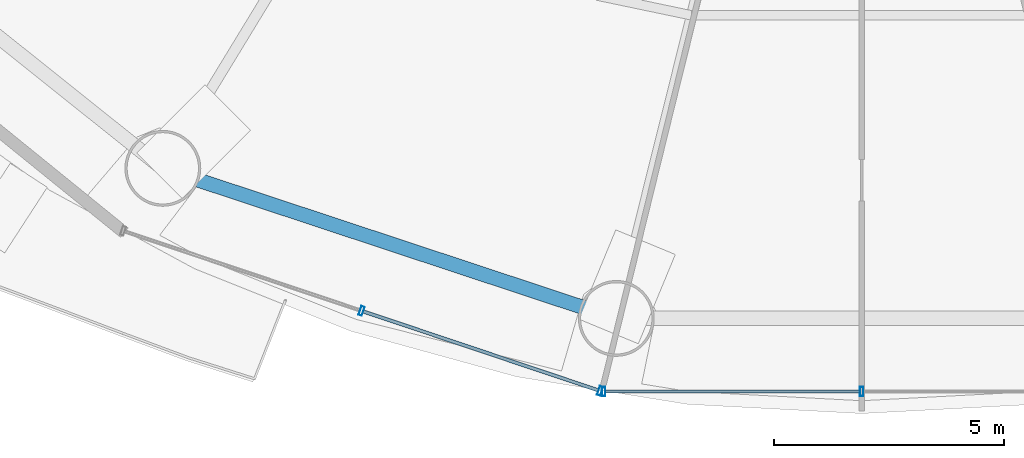
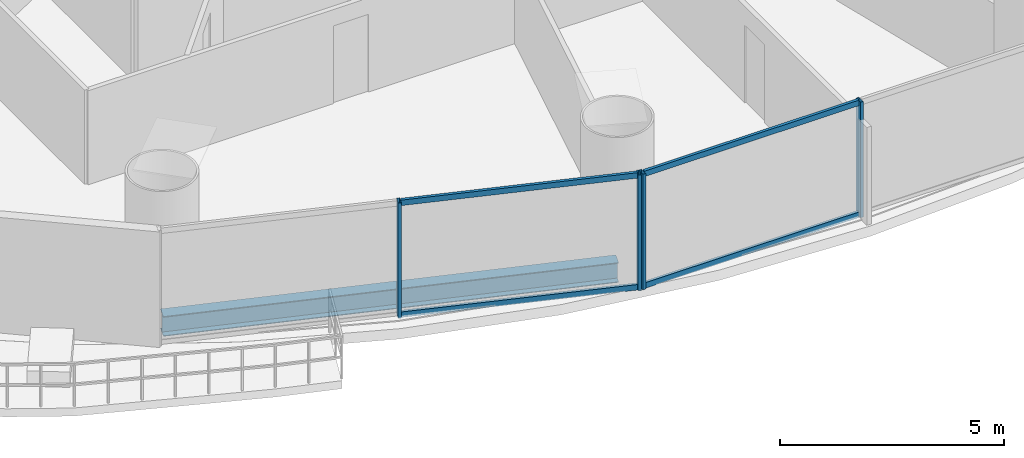
# One storey, part 4 of 29: 8 members, 1 beam, 2 elements without a shape of their own.
"""IFC4 building model written with IfcOpenShell, lengths in metres."""

import ifcopenshell
import ifcopenshell.guid

model = None  # the IFC model being written
_history = None  # IfcOwnerHistory: only IFC2X3 demands one
_inside = {}  # id of a spatial element -> (the spatial element, [elements in it])
_under = {}  # id of a project, library or spatial element -> (it, [spatial elements below it])
_declared = {}  # id of a project -> (the project, [libraries it declares])
_typed = {}  # id of a type object -> (the type object, [elements of that type])
_made_of = {}  # id of a material, layer set ... -> (it, [elements and type objects made of it])


def new_model(schema):
    """Start an empty IFC model of exactly this schema.

    Asked for "IFC4X3", IfcOpenShell would pick the latest addendum, in which some entities
    have other attributes; the version numbers below select the first issue.
    IFC2X3 requires an IfcOwnerHistory on every rooted entity: one is made here for all.
    """
    global model, _history
    if schema == "IFC4X3":
        model = ifcopenshell.file(schema_version=(4, 3, 0, 0))
    else:
        model = ifcopenshell.file(schema=schema)
    _inside.clear()
    _under.clear()
    _declared.clear()
    _typed.clear()
    _made_of.clear()
    _history = None
    if model.schema == "IFC2X3":
        org = make("IfcOrganization", Name="unknown")
        user = make(
            "IfcPersonAndOrganization",
            ThePerson=make("IfcPerson", FamilyName="unknown"),
            TheOrganization=org,
        )
        app = make(
            "IfcApplication",
            ApplicationDeveloper=org,
            Version="unknown",
            ApplicationFullName="unknown",
            ApplicationIdentifier="unknown",
        )
        _history = make(
            "IfcOwnerHistory",
            OwningUser=user,
            OwningApplication=app,
            ChangeAction="ADDED",
            CreationDate=0,
        )
    return model


def make(cls, **values):
    """One entity of the class cls with the attributes given. An attribute that is None is left unset."""
    return model.create_entity(
        cls, **{name: value for name, value in values.items() if value is not None}
    )


def rooted(cls, **values):
    """An entity with a GlobalId (a new one), such as an element, a storey or a relation."""
    return make(cls, GlobalId=ifcopenshell.guid.new(), OwnerHistory=_history, **values)


def si_unit(unit_type, name, prefix=None):
    """IfcSIUnit, for example si_unit("LENGTHUNIT", "METRE", prefix="MILLI")."""
    return make("IfcSIUnit", UnitType=unit_type, Prefix=prefix, Name=name)


def assignment(units):
    """IfcUnitAssignment: the units of a project."""
    return None if units is None else make("IfcUnitAssignment", Units=units)


def point(xyz):
    """IfcCartesianPoint."""
    return None if xyz is None else make("IfcCartesianPoint", Coordinates=xyz)


def direction(xyz):
    """IfcDirection."""
    return None if xyz is None else make("IfcDirection", DirectionRatios=xyz)


def frame(location, z_axis=None, x_axis=None):
    """IfcAxis2Placement3D, a coordinate frame: its origin and axes. An axis left out is left unset."""
    return make(
        "IfcAxis2Placement3D",
        Location=point(location),
        Axis=direction(z_axis),
        RefDirection=direction(x_axis),
    )


def frame_2d(location, x_axis=None):
    """IfcAxis2Placement2D, a coordinate frame in the plane: its origin and x axis."""
    return make(
        "IfcAxis2Placement2D", Location=point(location), RefDirection=direction(x_axis)
    )


def origin():
    """The frame at (0, 0, 0) with its axes left unset."""
    return frame((0.0, 0.0, 0.0))


def origin_2d():
    """The frame at (0, 0) in the plane with its x axis left unset."""
    return frame_2d((0.0, 0.0))


def place(relative_to, where):
    """IfcLocalPlacement: puts the frame where relative to a parent placement (None: the world)."""
    return make(
        "IfcLocalPlacement", PlacementRelTo=relative_to, RelativePlacement=where
    )


def context(
    kind, dimensions, precision=None, world=None, true_north=None, identifier=None
):
    """IfcGeometricRepresentationContext, for example the 3D "Model" context."""
    return make(
        "IfcGeometricRepresentationContext",
        ContextIdentifier=identifier,
        ContextType=kind,
        CoordinateSpaceDimension=dimensions,
        Precision=precision,
        WorldCoordinateSystem=world,
        TrueNorth=true_north,
    )


def subcontext(parent, identifier, kind, view, scale=None):
    """IfcGeometricRepresentationSubContext, for example "Body" below "Model"."""
    return make(
        "IfcGeometricRepresentationSubContext",
        ContextIdentifier=identifier,
        ContextType=kind,
        ParentContext=parent,
        TargetScale=scale,
        TargetView=view,
    )


def project(units=None, contexts=None):
    """IfcProject with its units and contexts."""
    return rooted(
        "IfcProject",
        Name="project",
        RepresentationContexts=contexts,
        UnitsInContext=assignment(units),
    )


def spatial(cls, under=None, at=None, **own):
    """A site, building, storey or space (cls), placed at a placement, below another one or the project."""
    s = rooted(cls, ObjectPlacement=at, **own)
    if under is not None:
        _under.setdefault(under.id(), (under, []))[1].append(s)
    return s


def profile(cls, at=None, kind="AREA", **sizes):
    """A parametric profile (cls). Its sizes go by their IFC names, for example OverallWidth=200.0."""
    return make(cls, ProfileType=kind, Position=at, **sizes)


def hollow_rectangle(**sizes):
    """IfcRectangleHollowProfileDef."""
    return profile("IfcRectangleHollowProfileDef", **sizes)


def i_section(**sizes):
    """IfcIShapeProfileDef."""
    return profile("IfcIShapeProfileDef", **sizes)


def extrude(swept, where, along, depth):
    """IfcExtrudedAreaSolid: the profile swept, set in the frame where, extruded along a direction by depth."""
    return make(
        "IfcExtrudedAreaSolid",
        SweptArea=swept,
        Position=where,
        ExtrudedDirection=direction(along),
        Depth=depth,
    )


def shape(context_of_items, identifier, shape_type, items):
    """IfcShapeRepresentation: the items that make up one representation, for example the "Body"."""
    return make(
        "IfcShapeRepresentation",
        ContextOfItems=context_of_items,
        RepresentationIdentifier=identifier,
        RepresentationType=shape_type,
        Items=items,
    )


def source(mapping_origin, context_of_items, identifier, shape_type, items):
    """IfcRepresentationMap: a shape defined once, which mapped items show again and again."""
    return make(
        "IfcRepresentationMap",
        MappingOrigin=mapping_origin,
        MappedRepresentation=shape(context_of_items, identifier, shape_type, items),
    )


def transform(
    local_origin,
    x_axis=None,
    y_axis=None,
    z_axis=None,
    scale=None,
    scale2=None,
    scale3=None,
    uniform=True,
):
    """IfcCartesianTransformationOperator3D, or its non-uniform kind. x_axis, y_axis, z_axis: its Axis1, 2, 3."""
    if uniform:
        return make(
            "IfcCartesianTransformationOperator3D",
            Axis1=direction(x_axis),
            Axis2=direction(y_axis),
            LocalOrigin=point(local_origin),
            Scale=scale,
            Axis3=direction(z_axis),
        )
    return make(
        "IfcCartesianTransformationOperator3DnonUniform",
        Axis1=direction(x_axis),
        Axis2=direction(y_axis),
        LocalOrigin=point(local_origin),
        Scale=scale,
        Axis3=direction(z_axis),
        Scale2=scale2,
        Scale3=scale3,
    )


def mapped(mapping_source, mapping_target):
    """IfcMappedItem: shows the shape of a source again, moved by a transform."""
    return make(
        "IfcMappedItem", MappingSource=mapping_source, MappingTarget=mapping_target
    )


def material(Name=None, Category=None):
    """IfcMaterial."""
    return make("IfcMaterial", Name=Name, Category=Category)


def material_profile(
    of_material, cross_section, Name=None, Category=None, Priority=None
):
    """IfcMaterialProfile: a cross section and its material."""
    return make(
        "IfcMaterialProfile",
        Name=Name,
        Material=of_material,
        Profile=cross_section,
        Priority=Priority,
        Category=Category,
    )


def profile_set(profiles, Name=None, composite=None):
    """IfcMaterialProfileSet."""
    return make(
        "IfcMaterialProfileSet",
        Name=Name,
        MaterialProfiles=profiles,
        CompositeProfile=composite,
    )


def made_of(thing, what):
    """Note that an element or type object is made of a material, layer set ...; save() writes the relation."""
    if what is not None:
        _made_of.setdefault(what.id(), (what, []))[1].append(thing)
    return thing


def type_object(cls, material=None, **own):
    """A type object (cls), such as IfcWallType, which elements share."""
    return made_of(rooted(cls, **own), material)


def element(
    cls,
    number,
    at=None,
    inside=None,
    cuts=None,
    type_object=None,
    material=None,
    context=None,
    identifier="Body",
    shape_type=None,
    held_by="IfcProductDefinitionShape",
    body=None,
    shapes=None,
    **own,
):
    """One element of the class cls, such as IfcWall. Its Tag is "e" and its number.

    at: its placement. inside: the storey or other place that contains it. cuts: it is an
    opening in that element (IfcRelVoidsElement). A single representation is given by context,
    identifier, shape_type and body (its items); several are given by shapes. held_by: the class
    of the entity that holds the representations. save() writes the other relations.
    """
    e = rooted(cls, Tag="e%d" % number, ObjectPlacement=at, **own)
    if body is not None:
        shapes = [shape(context, identifier, shape_type, body)]
    if shapes is not None:
        e.Representation = make(held_by, Representations=shapes)
    if inside is not None:
        _inside.setdefault(inside.id(), (inside, []))[1].append(e)
    if cuts is not None:
        rooted(
            "IfcRelVoidsElement", RelatingBuildingElement=cuts, RelatedOpeningElement=e
        )
    if type_object is not None:
        _typed.setdefault(type_object.id(), (type_object, []))[1].append(e)
    return made_of(e, material)


def aggregate(whole, parts):
    """IfcRelAggregates: a whole, such as a stair, and the parts it consists of."""
    return rooted("IfcRelAggregates", RelatingObject=whole, RelatedObjects=parts)


def save(model, path):
    """Write the relations noted so far, then the file.

    IfcRelAggregates (storeys below a building ...), IfcRelContainedInSpatialStructure (elements
    in a storey), IfcRelDefinesByType, IfcRelAssociatesMaterial and IfcRelDeclares: one each for
    every whole, place, type object, material and project.
    """
    for whole, parts in _under.values():
        aggregate(whole, parts)
    for where, things in _inside.values():
        rooted(
            "IfcRelContainedInSpatialStructure",
            RelatedElements=things,
            RelatingStructure=where,
        )
    for kind, things in _typed.values():
        rooted("IfcRelDefinesByType", RelatedObjects=things, RelatingType=kind)
    for what, things in _made_of.values():
        rooted("IfcRelAssociatesMaterial", RelatedObjects=things, RelatingMaterial=what)
    for by, libraries in _declared.values():
        rooted("IfcRelDeclares", RelatingContext=by, RelatedDefinitions=libraries)
    model.write(path)


model = new_model("IFC4")

# Units and contexts
model_context = context("Model", 3, precision=1e-05, world=origin(), true_north=direction((-0.2419218956, 0.970295726276)))
body_context = subcontext(model_context, "Body", "Model", "MODEL_VIEW")
ifc_project = project(units=[si_unit("LENGTHUNIT", "METRE"), si_unit("AREAUNIT", "SQUARE_METRE"), si_unit("VOLUMEUNIT", "CUBIC_METRE"), si_unit("PLANEANGLEUNIT", "RADIAN"), si_unit("MASSUNIT", "GRAM", prefix="KILO")], contexts=[model_context])

# Site, building, storey
site_placement = place(None, origin())
site = spatial("IfcSite", under=ifc_project, at=site_placement, CompositionType="ELEMENT")
building_placement = place(site_placement, origin())
building = spatial("IfcBuilding", under=site, at=building_placement, Name="Cobrevalo Terracotta Tower", CompositionType="ELEMENT")
storey_placement = place(building_placement, frame((0.0, 0.0, 70.800048828125)))
storey = spatial("IfcBuildingStorey", under=building, at=storey_placement, Name="L18", CompositionType="ELEMENT", Elevation=70.800048828125)

# Beam
ifc_material_1 = material(Name="Steel S355", Category="steel")
ifc_material_profile_1 = material_profile(ifc_material_1, i_section(OverallWidth=0.31201171875, OverallDepth=0.54296875, WebThickness=0.0126953125, FlangeThickness=0.020263671875, at=origin_2d()), Name="W 530x150")
ifc_profile_set_1 = profile_set([ifc_material_profile_1], Name="Steel S355")
beam_type = type_object("IfcBeamType", Name="Structural Spandrel W 530x150 (Steel S355)", PredefinedType="SPANDREL", material=ifc_profile_set_1)
beam_placement = place(storey_placement, frame((22.80517578125, 8.63232421875, -0.551513671875), z_axis=(0.949372202648, -0.314153498848, 0.0), x_axis=(0.314153498848, 0.949372202648, 0.0)))
element("IfcBeam", 1, at=beam_placement, inside=storey, type_object=beam_type, Name="L18 perimeter ring spandrel 11", PredefinedType="SPANDREL", context=body_context, shape_type="SweptSolid", body=[
    extrude(i_section(OverallWidth=0.31201171875, OverallDepth=0.54296875, WebThickness=0.0126953125, FlangeThickness=0.020263671875, at=origin_2d()), origin(), (0.0, 0.0, 1.0), 10.385009765625),
])

# Curtain wall, members
ifc_material_2 = material(Name="Anodized aluminium", Category="aluminium")
curtain_wall_type = type_object("IfcCurtainWallType", Name="Lower-tower unitised acoustic low-E curtain wall CW-U1", PredefinedType="NOTDEFINED", material=ifc_material_2)
curtain_wall_1_placement = place(storey_placement, origin())
curtain_wall_1 = element("IfcCurtainWall", 2, at=curtain_wall_1_placement, inside=storey, type_object=curtain_wall_type, Name="L18 curtain wall CW-L18-S11", PredefinedType="NOTDEFINED")
ifc_material_profile_2 = material_profile(ifc_material_2, hollow_rectangle(XDim=0.074951171875, YDim=0.14990234375, WallThickness=0.00439453125, at=origin_2d()), Name="CWT 75x150")
ifc_profile_set_2 = profile_set([ifc_material_profile_2], Name="Anodized aluminium")
member_type_1 = type_object("IfcMemberType", Name="Tower unitised aluminium transom 75x150", PredefinedType="USERDEFINED", material=ifc_profile_set_2)
shared_shape_1 = source(origin(), body_context, "Body", "SweptSolid", [
    extrude(hollow_rectangle(XDim=0.074951171875, YDim=0.14990234375, WallThickness=0.00439453125, at=origin_2d()), origin(), (0.0, 0.0, 1.0), 5.387939453125),
])
member_1_placement = place(storey_placement, frame((27.16455078125, 5.5205078125, 0.050048828125), z_axis=(0.94804244582, -0.318143868278, 0.0), x_axis=(0.318143868278, 0.94804244582, 0.0)))
member_1 = element("IfcMember", 3, at=member_1_placement, type_object=member_type_1, Name="CW-L18-S11 transom B02-T1", ObjectType="TRANSOM", PredefinedType="USERDEFINED", context=body_context, shape_type="MappedRepresentation", body=[
    mapped(shared_shape_1, transform((0.0, 0.0, 0.0), scale=1.0)),
])
member_2_placement = place(storey_placement, frame((27.16455078125, 5.5205078125, 3.099853515625), z_axis=(0.94804244582, -0.318143868278, 0.0), x_axis=(0.318143868278, 0.94804244582, 0.0)))
member_2 = element("IfcMember", 4, at=member_2_placement, type_object=member_type_1, Name="CW-L18-S11 transom B02-T2", ObjectType="TRANSOM", PredefinedType="USERDEFINED", context=body_context, shape_type="MappedRepresentation", body=[
    mapped(shared_shape_1, transform((0.0, 0.0, 0.0), scale=1.0)),
])

curtain_wall_2_placement = place(storey_placement, origin())
curtain_wall_2 = element("IfcCurtainWall", 5, at=curtain_wall_2_placement, inside=storey, type_object=curtain_wall_type, Name="L18 curtain wall CW-L18-S12", PredefinedType="NOTDEFINED")
shared_shape_2 = source(origin(), body_context, "Body", "SweptSolid", [
    extrude(hollow_rectangle(XDim=0.074951171875, YDim=0.14990234375, WallThickness=0.00439453125, at=origin_2d()), origin(), (0.0, 0.0, 1.0), 5.53173828125),
])
member_3_placement = place(storey_placement, frame((32.42822265625, 3.781005859375, 0.050048828125), z_axis=(1.0, 0.0, 0.0), x_axis=(0.0, 1.0, 0.0)))
member_3 = element("IfcMember", 6, at=member_3_placement, type_object=member_type_1, Name="CW-L18-S12 transom B01-T1", ObjectType="TRANSOM", PredefinedType="USERDEFINED", context=body_context, shape_type="MappedRepresentation", body=[
    mapped(shared_shape_2, transform((0.0, 0.0, 0.0), scale=1.0)),
])
member_4_placement = place(storey_placement, frame((32.42822265625, 3.781005859375, 3.099853515625), z_axis=(1.0, 0.0, 0.0), x_axis=(0.0, 1.0, 0.0)))
member_4 = element("IfcMember", 7, at=member_4_placement, type_object=member_type_1, Name="CW-L18-S12 transom B01-T2", ObjectType="TRANSOM", PredefinedType="USERDEFINED", context=body_context, shape_type="MappedRepresentation", body=[
    mapped(shared_shape_2, transform((0.0, 0.0, 0.0), scale=1.0)),
])

# Member
ifc_material_profile_3 = material_profile(ifc_material_2, hollow_rectangle(XDim=0.074951171875, YDim=0.199951171875, WallThickness=0.0048828125, at=origin_2d()), Name="CWM 75x200")
ifc_profile_set_3 = profile_set([ifc_material_profile_3], Name="Anodized aluminium")
member_type_2 = type_object("IfcMemberType", Name="Lower/mid tower unitised mullion 75x200", PredefinedType="MULLION", material=ifc_profile_set_3)
shared_shape_3 = source(origin(), body_context, "Body", "SweptSolid", [
    extrude(hollow_rectangle(XDim=0.074951171875, YDim=0.199951171875, WallThickness=0.0048828125, at=origin_2d()), origin(), (0.0, 0.0, 1.0), 3.14990234375),
])
member_5_placement = place(storey_placement, frame((27.126708984375, 5.533203125, 0.0), z_axis=(0.0, 0.0, 1.0), x_axis=(0.948046393597, -0.318132103987, 0.0)))
member_5 = element("IfcMember", 8, at=member_5_placement, type_object=member_type_2, Name="CW-L18-S11 vertical mullion 02", PredefinedType="MULLION", context=body_context, shape_type="MappedRepresentation", body=[
    mapped(shared_shape_3, transform((0.0, 0.0, 0.0), scale=1.0)),
])

member_6_placement = place(storey_placement, frame((32.310302734375, 3.793701171875, 0.0), z_axis=(0.0, 0.0, 1.0), x_axis=(0.948046393597, -0.318132103987, 0.0)))
member_6 = element("IfcMember", 9, at=member_6_placement, type_object=member_type_2, Name="CW-L18-S11 vertical mullion 03", PredefinedType="MULLION", context=body_context, shape_type="MappedRepresentation", body=[
    mapped(shared_shape_3, transform((0.0, 0.0, 0.0), scale=1.0)),
])

aggregate(curtain_wall_1, [member_5, member_6, member_1, member_2])

member_7_placement = place(storey_placement, frame((32.38818359375, 3.781005859375, 0.0), z_axis=(0.0, 0.0, 1.0), x_axis=(1.0, 0.0, 0.0)))
member_7 = element("IfcMember", 10, at=member_7_placement, type_object=member_type_2, Name="CW-L18-S12 vertical mullion 01", PredefinedType="MULLION", context=body_context, shape_type="MappedRepresentation", body=[
    mapped(shared_shape_3, transform((0.0, 0.0, 0.0), scale=1.0)),
])

member_8_placement = place(storey_placement, frame((38.0, 3.781005859375, 0.0), z_axis=(0.0, 0.0, 1.0), x_axis=(1.0, 0.0, 0.0)))
member_8 = element("IfcMember", 11, at=member_8_placement, type_object=member_type_2, Name="CW-L18-S12 vertical mullion 02", PredefinedType="MULLION", context=body_context, shape_type="MappedRepresentation", body=[
    mapped(shared_shape_3, transform((0.0, 0.0, 0.0), scale=1.0)),
])

aggregate(curtain_wall_2, [member_7, member_8, member_3, member_4])

save(model, "model.ifc")
